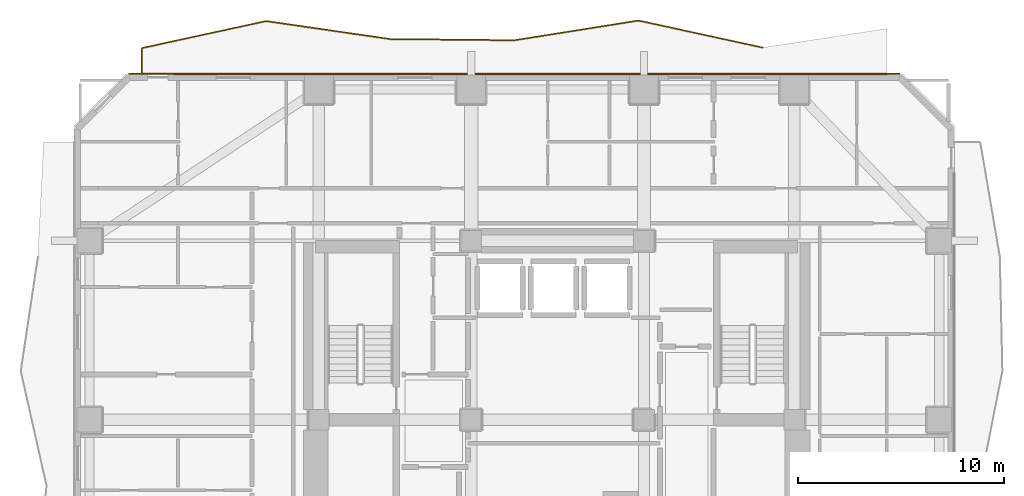
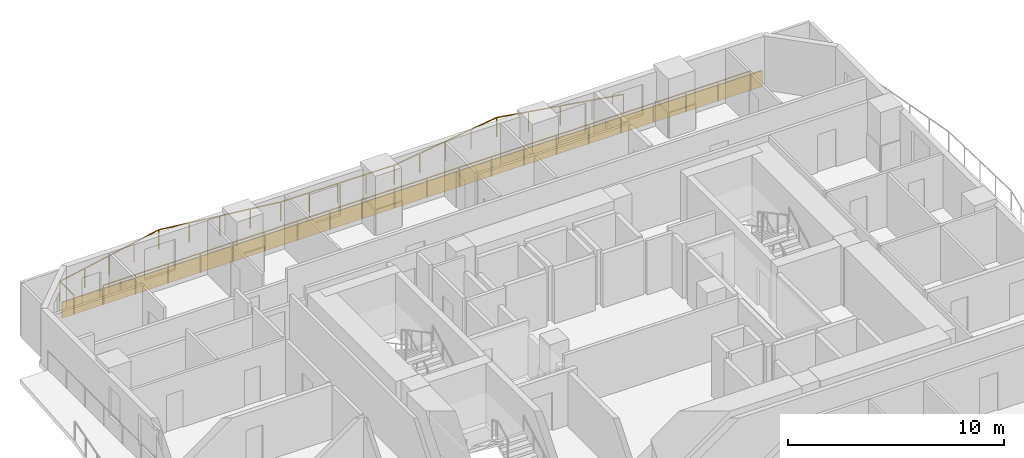
# One storey, part 11 of 11: 2 railings, 1 covering.
"""IFC4 building model written with IfcOpenShell, lengths in metres."""

import ifcopenshell
import ifcopenshell.guid

model = None  # the IFC model being written
_history = None  # IfcOwnerHistory: only IFC2X3 demands one
_inside = {}  # id of a spatial element -> (the spatial element, [elements in it])
_under = {}  # id of a project, library or spatial element -> (it, [spatial elements below it])
_declared = {}  # id of a project -> (the project, [libraries it declares])
_typed = {}  # id of a type object -> (the type object, [elements of that type])
_made_of = {}  # id of a material, layer set ... -> (it, [elements and type objects made of it])


def new_model(schema):
    """Start an empty IFC model of exactly this schema.

    Asked for "IFC4X3", IfcOpenShell would pick the latest addendum, in which some entities
    have other attributes; the version numbers below select the first issue.
    IFC2X3 requires an IfcOwnerHistory on every rooted entity: one is made here for all.
    """
    global model, _history
    if schema == "IFC4X3":
        model = ifcopenshell.file(schema_version=(4, 3, 0, 0))
    else:
        model = ifcopenshell.file(schema=schema)
    _inside.clear()
    _under.clear()
    _declared.clear()
    _typed.clear()
    _made_of.clear()
    _history = None
    if model.schema == "IFC2X3":
        org = make("IfcOrganization", Name="unknown")
        user = make(
            "IfcPersonAndOrganization",
            ThePerson=make("IfcPerson", FamilyName="unknown"),
            TheOrganization=org,
        )
        app = make(
            "IfcApplication",
            ApplicationDeveloper=org,
            Version="unknown",
            ApplicationFullName="unknown",
            ApplicationIdentifier="unknown",
        )
        _history = make(
            "IfcOwnerHistory",
            OwningUser=user,
            OwningApplication=app,
            ChangeAction="ADDED",
            CreationDate=0,
        )
    return model


def make(cls, **values):
    """One entity of the class cls with the attributes given. An attribute that is None is left unset."""
    return model.create_entity(
        cls, **{name: value for name, value in values.items() if value is not None}
    )


def rooted(cls, **values):
    """An entity with a GlobalId (a new one), such as an element, a storey or a relation."""
    return make(cls, GlobalId=ifcopenshell.guid.new(), OwnerHistory=_history, **values)


def si_unit(unit_type, name, prefix=None):
    """IfcSIUnit, for example si_unit("LENGTHUNIT", "METRE", prefix="MILLI")."""
    return make("IfcSIUnit", UnitType=unit_type, Prefix=prefix, Name=name)


def assignment(units):
    """IfcUnitAssignment: the units of a project."""
    return None if units is None else make("IfcUnitAssignment", Units=units)


def point(xyz):
    """IfcCartesianPoint."""
    return None if xyz is None else make("IfcCartesianPoint", Coordinates=xyz)


def direction(xyz):
    """IfcDirection."""
    return None if xyz is None else make("IfcDirection", DirectionRatios=xyz)


def frame(location, z_axis=None, x_axis=None):
    """IfcAxis2Placement3D, a coordinate frame: its origin and axes. An axis left out is left unset."""
    return make(
        "IfcAxis2Placement3D",
        Location=point(location),
        Axis=direction(z_axis),
        RefDirection=direction(x_axis),
    )


def frame_2d(location, x_axis=None):
    """IfcAxis2Placement2D, a coordinate frame in the plane: its origin and x axis."""
    return make(
        "IfcAxis2Placement2D", Location=point(location), RefDirection=direction(x_axis)
    )


def origin():
    """The frame at (0, 0, 0) with its axes left unset."""
    return frame((0.0, 0.0, 0.0))


def origin_2d():
    """The frame at (0, 0) in the plane with its x axis left unset."""
    return frame_2d((0.0, 0.0))


def place(relative_to, where):
    """IfcLocalPlacement: puts the frame where relative to a parent placement (None: the world)."""
    return make(
        "IfcLocalPlacement", PlacementRelTo=relative_to, RelativePlacement=where
    )


def context(
    kind, dimensions, precision=None, world=None, true_north=None, identifier=None
):
    """IfcGeometricRepresentationContext, for example the 3D "Model" context."""
    return make(
        "IfcGeometricRepresentationContext",
        ContextIdentifier=identifier,
        ContextType=kind,
        CoordinateSpaceDimension=dimensions,
        Precision=precision,
        WorldCoordinateSystem=world,
        TrueNorth=true_north,
    )


def subcontext(parent, identifier, kind, view, scale=None):
    """IfcGeometricRepresentationSubContext, for example "Body" below "Model"."""
    return make(
        "IfcGeometricRepresentationSubContext",
        ContextIdentifier=identifier,
        ContextType=kind,
        ParentContext=parent,
        TargetScale=scale,
        TargetView=view,
    )


def project(units=None, contexts=None):
    """IfcProject with its units and contexts."""
    return rooted(
        "IfcProject",
        Name="project",
        RepresentationContexts=contexts,
        UnitsInContext=assignment(units),
    )


def spatial(cls, under=None, at=None, **own):
    """A site, building, storey or space (cls), placed at a placement, below another one or the project."""
    s = rooted(cls, ObjectPlacement=at, **own)
    if under is not None:
        _under.setdefault(under.id(), (under, []))[1].append(s)
    return s


def profile(cls, at=None, kind="AREA", **sizes):
    """A parametric profile (cls). Its sizes go by their IFC names, for example OverallWidth=200.0."""
    return make(cls, ProfileType=kind, Position=at, **sizes)


def rectangle(**sizes):
    """IfcRectangleProfileDef."""
    return profile("IfcRectangleProfileDef", **sizes)


def extrude(swept, where, along, depth):
    """IfcExtrudedAreaSolid: the profile swept, set in the frame where, extruded along a direction by depth."""
    return make(
        "IfcExtrudedAreaSolid",
        SweptArea=swept,
        Position=where,
        ExtrudedDirection=direction(along),
        Depth=depth,
    )


def shape(context_of_items, identifier, shape_type, items):
    """IfcShapeRepresentation: the items that make up one representation, for example the "Body"."""
    return make(
        "IfcShapeRepresentation",
        ContextOfItems=context_of_items,
        RepresentationIdentifier=identifier,
        RepresentationType=shape_type,
        Items=items,
    )


def material(Name=None, Category=None):
    """IfcMaterial."""
    return make("IfcMaterial", Name=Name, Category=Category)


def layer(
    of_material, thickness, ventilated=None, Name=None, Category=None, Priority=None
):
    """IfcMaterialLayer: one layer of a wall or slab, of a material (None: an air gap)."""
    return make(
        "IfcMaterialLayer",
        Material=of_material,
        LayerThickness=thickness,
        IsVentilated=ventilated,
        Name=Name,
        Category=Category,
        Priority=Priority,
    )


def layer_set(layers, Name=None):
    """IfcMaterialLayerSet."""
    return make("IfcMaterialLayerSet", MaterialLayers=layers, LayerSetName=Name)


def made_of(thing, what):
    """Note that an element or type object is made of a material, layer set ...; save() writes the relation."""
    if what is not None:
        _made_of.setdefault(what.id(), (what, []))[1].append(thing)
    return thing


def type_object(cls, material=None, **own):
    """A type object (cls), such as IfcWallType, which elements share."""
    return made_of(rooted(cls, **own), material)


def element(
    cls,
    number,
    at=None,
    inside=None,
    cuts=None,
    type_object=None,
    material=None,
    context=None,
    identifier="Body",
    shape_type=None,
    held_by="IfcProductDefinitionShape",
    body=None,
    shapes=None,
    **own,
):
    """One element of the class cls, such as IfcWall. Its Tag is "e" and its number.

    at: its placement. inside: the storey or other place that contains it. cuts: it is an
    opening in that element (IfcRelVoidsElement). A single representation is given by context,
    identifier, shape_type and body (its items); several are given by shapes. held_by: the class
    of the entity that holds the representations. save() writes the other relations.
    """
    e = rooted(cls, Tag="e%d" % number, ObjectPlacement=at, **own)
    if body is not None:
        shapes = [shape(context, identifier, shape_type, body)]
    if shapes is not None:
        e.Representation = make(held_by, Representations=shapes)
    if inside is not None:
        _inside.setdefault(inside.id(), (inside, []))[1].append(e)
    if cuts is not None:
        rooted(
            "IfcRelVoidsElement", RelatingBuildingElement=cuts, RelatedOpeningElement=e
        )
    if type_object is not None:
        _typed.setdefault(type_object.id(), (type_object, []))[1].append(e)
    return made_of(e, material)


def aggregate(whole, parts):
    """IfcRelAggregates: a whole, such as a stair, and the parts it consists of."""
    return rooted("IfcRelAggregates", RelatingObject=whole, RelatedObjects=parts)


def save(model, path):
    """Write the relations noted so far, then the file.

    IfcRelAggregates (storeys below a building ...), IfcRelContainedInSpatialStructure (elements
    in a storey), IfcRelDefinesByType, IfcRelAssociatesMaterial and IfcRelDeclares: one each for
    every whole, place, type object, material and project.
    """
    for whole, parts in _under.values():
        aggregate(whole, parts)
    for where, things in _inside.values():
        rooted(
            "IfcRelContainedInSpatialStructure",
            RelatedElements=things,
            RelatingStructure=where,
        )
    for kind, things in _typed.values():
        rooted("IfcRelDefinesByType", RelatedObjects=things, RelatingType=kind)
    for what, things in _made_of.values():
        rooted("IfcRelAssociatesMaterial", RelatedObjects=things, RelatingMaterial=what)
    for by, libraries in _declared.values():
        rooted("IfcRelDeclares", RelatingContext=by, RelatedDefinitions=libraries)
    model.write(path)


model = new_model("IFC4")

# Units and contexts
model_context = context("Model", 3, precision=1e-05, world=origin(), true_north=direction((0.0, 1.0)))
body_context = subcontext(model_context, "Body", "Model", "MODEL_VIEW")
ifc_project = project(units=[si_unit("LENGTHUNIT", "METRE"), si_unit("AREAUNIT", "SQUARE_METRE"), si_unit("VOLUMEUNIT", "CUBIC_METRE"), si_unit("PLANEANGLEUNIT", "RADIAN"), si_unit("MASSUNIT", "GRAM", prefix="KILO")], contexts=[model_context])

# Site, building, storey
site_placement = place(None, origin())
site = spatial("IfcSite", under=ifc_project, at=site_placement, CompositionType="ELEMENT")
building_placement = place(site_placement, origin())
building = spatial("IfcBuilding", under=site, at=building_placement, Name="Solanera Arch Residences", CompositionType="ELEMENT")
storey_placement = place(building_placement, frame((0.0, 0.0, 25.320068359375)))
storey = spatial("IfcBuildingStorey", under=building, at=storey_placement, Name="L06", CompositionType="ELEMENT", Elevation=25.320068359375)

# Railings
ifc_material_1 = material(Name="Steel S355 (ASTM A992 / A572 Grade 50)", Category="steel")
railing_type = type_object("IfcRailingType", Name="Balustrade Railing BL-1100", PredefinedType="BALUSTRADE", material=ifc_material_1)
railing_1_placement = place(storey_placement, frame((34.967041015625, 48.7880859375, 0.0)))
element("IfcRailing", 1, at=railing_1_placement, inside=storey, type_object=railing_type, Name="L06 N Balcony Balustrade 1", PredefinedType="BALUSTRADE", context=body_context, shape_type="SweptSolid", body=[
    extrude(rectangle(XDim=0.048095703125, YDim=0.048095703125, at=origin_2d()), frame((0.0, 0.0, 1.09619140625), z_axis=(-0.97706812707, 0.212926924232, 0.0), x_axis=(-0.212926924232, -0.97706812707, 0.0)), (0.0, 0.0, 1.0), 6.175537109375),
    extrude(rectangle(XDim=0.048095703125, YDim=0.048095703125, at=origin_2d()), frame((-6.033935546875, 1.31494140625, 1.09619140625), z_axis=(-0.987576923809, -0.157136308855, 0.0), x_axis=(0.157136308855, -0.987576923809, 0.0)), (0.0, 0.0, 1.0), 6.109130859375),
    extrude(rectangle(XDim=0.048095703125, YDim=0.048095703125, at=origin_2d()), frame((-12.067138671875, 0.35498046875, 1.09619140625), z_axis=(-0.999950853849, 0.00991412566, 0.0), x_axis=(-0.00991412566, -0.999950853849, 0.0)), (0.0, 0.0, 1.0), 6.033203125),
    extrude(rectangle(XDim=0.048095703125, YDim=0.048095703125, at=origin_2d()), frame((-18.10009765625, 0.414794921875, 1.09619140625), z_axis=(-0.989671305222, 0.143355179959, 0.0), x_axis=(-0.143355179959, -0.989671305222, 0.0)), (0.0, 0.0, 1.0), 6.096923828125),
    extrude(rectangle(XDim=0.048095703125, YDim=0.048095703125, at=origin_2d()), frame((-24.134033203125, 1.288818359375, 1.09619140625), z_axis=(-0.977159587006, -0.212506803471, 0.0), x_axis=(0.212506803471, -0.977159587006, 0.0)), (0.0, 0.0, 1.0), 6.174072265625),
    extrude(rectangle(XDim=0.048095703125, YDim=0.048095703125, at=origin_2d()), frame((-30.1669921875, -0.023193359375, 1.09619140625), z_axis=(0.0, -1.0, 0.0), x_axis=(1.0, 0.0, 0.0)), (0.0, 0.0, 1.0), 1.284912109375),
    extrude(rectangle(XDim=0.0419921875, YDim=0.0419921875, at=origin_2d()), origin(), (0.0, 0.0, 1.0), 1.072021484375),
    extrude(rectangle(XDim=0.0419921875, YDim=0.0419921875, at=origin_2d()), frame((-1.508544921875, 0.32861328125, 0.0)), (0.0, 0.0, 1.0), 1.072021484375),
    extrude(rectangle(XDim=0.0419921875, YDim=0.0419921875, at=origin_2d()), frame((-3.01708984375, 0.657470703125, 0.0)), (0.0, 0.0, 1.0), 1.072021484375),
    extrude(rectangle(XDim=0.0419921875, YDim=0.0419921875, at=origin_2d()), frame((-4.525390625, 0.986328125, 0.0)), (0.0, 0.0, 1.0), 1.072021484375),
    extrude(rectangle(XDim=0.0419921875, YDim=0.0419921875, at=origin_2d()), frame((-6.033935546875, 1.31494140625, 0.0)), (0.0, 0.0, 1.0), 1.072021484375),
    extrude(rectangle(XDim=0.0419921875, YDim=0.0419921875, at=origin_2d()), frame((-7.542236328125, 1.074951171875, 0.0)), (0.0, 0.0, 1.0), 1.072021484375),
    extrude(rectangle(XDim=0.0419921875, YDim=0.0419921875, at=origin_2d()), frame((-9.050537109375, 0.8349609375, 0.0)), (0.0, 0.0, 1.0), 1.072021484375),
    extrude(rectangle(XDim=0.0419921875, YDim=0.0419921875, at=origin_2d()), frame((-10.558837890625, 0.594970703125, 0.0)), (0.0, 0.0, 1.0), 1.072021484375),
    extrude(rectangle(XDim=0.0419921875, YDim=0.0419921875, at=origin_2d()), frame((-12.067138671875, 0.35498046875, 0.0)), (0.0, 0.0, 1.0), 1.072021484375),
    extrude(rectangle(XDim=0.0419921875, YDim=0.0419921875, at=origin_2d()), frame((-13.575439453125, 0.369873046875, 0.0)), (0.0, 0.0, 1.0), 1.072021484375),
    extrude(rectangle(XDim=0.0419921875, YDim=0.0419921875, at=origin_2d()), frame((-15.08349609375, 0.384765625, 0.0)), (0.0, 0.0, 1.0), 1.072021484375),
    extrude(rectangle(XDim=0.0419921875, YDim=0.0419921875, at=origin_2d()), frame((-16.591796875, 0.39990234375, 0.0)), (0.0, 0.0, 1.0), 1.072021484375),
    extrude(rectangle(XDim=0.0419921875, YDim=0.0419921875, at=origin_2d()), frame((-18.10009765625, 0.414794921875, 0.0)), (0.0, 0.0, 1.0), 1.072021484375),
    extrude(rectangle(XDim=0.0419921875, YDim=0.0419921875, at=origin_2d()), frame((-19.608642578125, 0.63330078125, 0.0)), (0.0, 0.0, 1.0), 1.072021484375),
    extrude(rectangle(XDim=0.0419921875, YDim=0.0419921875, at=origin_2d()), frame((-21.1171875, 0.851806640625, 0.0)), (0.0, 0.0, 1.0), 1.072021484375),
    extrude(rectangle(XDim=0.0419921875, YDim=0.0419921875, at=origin_2d()), frame((-22.62548828125, 1.0703125, 0.0)), (0.0, 0.0, 1.0), 1.072021484375),
    extrude(rectangle(XDim=0.0419921875, YDim=0.0419921875, at=origin_2d()), frame((-24.134033203125, 1.288818359375, 0.0)), (0.0, 0.0, 1.0), 1.072021484375),
    extrude(rectangle(XDim=0.0419921875, YDim=0.0419921875, at=origin_2d()), frame((-25.642333984375, 0.9609375, 0.0)), (0.0, 0.0, 1.0), 1.072021484375),
    extrude(rectangle(XDim=0.0419921875, YDim=0.0419921875, at=origin_2d()), frame((-27.150390625, 0.6328125, 0.0)), (0.0, 0.0, 1.0), 1.072021484375),
    extrude(rectangle(XDim=0.0419921875, YDim=0.0419921875, at=origin_2d()), frame((-28.65869140625, 0.3046875, 0.0)), (0.0, 0.0, 1.0), 1.072021484375),
    extrude(rectangle(XDim=0.0419921875, YDim=0.0419921875, at=origin_2d()), frame((-30.1669921875, -0.023193359375, 0.0)), (0.0, 0.0, 1.0), 1.072021484375),
    extrude(rectangle(XDim=0.0419921875, YDim=0.0419921875, at=origin_2d()), frame((-30.1669921875, -1.30810546875, 0.0)), (0.0, 0.0, 1.0), 1.072021484375),
])
railing_2_placement = place(storey_placement, frame((6.365966796875, 47.47998046875, 0.0)))
element("IfcRailing", 2, at=railing_2_placement, inside=storey, type_object=railing_type, Name="L06 N Balcony Balustrade 2", PredefinedType="BALUSTRADE", context=body_context, shape_type="SweptSolid", body=[
    extrude(rectangle(XDim=0.048095703125, YDim=0.048095703125, at=origin_2d()), frame((0.0, 0.0, 1.09619140625), z_axis=(1.0, 0.0, 0.0), x_axis=(0.0, 1.0, 0.0)), (0.0, 0.0, 1.0), 34.634033203125),
    extrude(rectangle(XDim=0.0419921875, YDim=0.0419921875, at=origin_2d()), origin(), (0.0, 0.0, 1.0), 1.072021484375),
    extrude(rectangle(XDim=0.0419921875, YDim=0.0419921875, at=origin_2d()), frame((1.731689453125, 0.0, 0.0)), (0.0, 0.0, 1.0), 1.072021484375),
    extrude(rectangle(XDim=0.0419921875, YDim=0.0419921875, at=origin_2d()), frame((3.46337890625, 0.0, 0.0)), (0.0, 0.0, 1.0), 1.072021484375),
    extrude(rectangle(XDim=0.0419921875, YDim=0.0419921875, at=origin_2d()), frame((5.195068359375, 0.0, 0.0)), (0.0, 0.0, 1.0), 1.072021484375),
    extrude(rectangle(XDim=0.0419921875, YDim=0.0419921875, at=origin_2d()), frame((6.9267578125, 0.0, 0.0)), (0.0, 0.0, 1.0), 1.072021484375),
    extrude(rectangle(XDim=0.0419921875, YDim=0.0419921875, at=origin_2d()), frame((8.658447265625, 0.0, 0.0)), (0.0, 0.0, 1.0), 1.072021484375),
    extrude(rectangle(XDim=0.0419921875, YDim=0.0419921875, at=origin_2d()), frame((10.39013671875, 0.0, 0.0)), (0.0, 0.0, 1.0), 1.072021484375),
    extrude(rectangle(XDim=0.0419921875, YDim=0.0419921875, at=origin_2d()), frame((12.121826171875, 0.0, 0.0)), (0.0, 0.0, 1.0), 1.072021484375),
    extrude(rectangle(XDim=0.0419921875, YDim=0.0419921875, at=origin_2d()), frame((13.853515625, 0.0, 0.0)), (0.0, 0.0, 1.0), 1.072021484375),
    extrude(rectangle(XDim=0.0419921875, YDim=0.0419921875, at=origin_2d()), frame((15.585205078125, 0.0, 0.0)), (0.0, 0.0, 1.0), 1.072021484375),
    extrude(rectangle(XDim=0.0419921875, YDim=0.0419921875, at=origin_2d()), frame((17.31689453125, 0.0, 0.0)), (0.0, 0.0, 1.0), 1.072021484375),
    extrude(rectangle(XDim=0.0419921875, YDim=0.0419921875, at=origin_2d()), frame((19.048828125, 0.0, 0.0)), (0.0, 0.0, 1.0), 1.072021484375),
    extrude(rectangle(XDim=0.0419921875, YDim=0.0419921875, at=origin_2d()), frame((20.780517578125, 0.0, 0.0)), (0.0, 0.0, 1.0), 1.072021484375),
    extrude(rectangle(XDim=0.0419921875, YDim=0.0419921875, at=origin_2d()), frame((22.51220703125, 0.0, 0.0)), (0.0, 0.0, 1.0), 1.072021484375),
    extrude(rectangle(XDim=0.0419921875, YDim=0.0419921875, at=origin_2d()), frame((24.243896484375, 0.0, 0.0)), (0.0, 0.0, 1.0), 1.072021484375),
    extrude(rectangle(XDim=0.0419921875, YDim=0.0419921875, at=origin_2d()), frame((25.9755859375, 0.0, 0.0)), (0.0, 0.0, 1.0), 1.072021484375),
    extrude(rectangle(XDim=0.0419921875, YDim=0.0419921875, at=origin_2d()), frame((27.707275390625, 0.0, 0.0)), (0.0, 0.0, 1.0), 1.072021484375),
    extrude(rectangle(XDim=0.0419921875, YDim=0.0419921875, at=origin_2d()), frame((29.43896484375, 0.0, 0.0)), (0.0, 0.0, 1.0), 1.072021484375),
    extrude(rectangle(XDim=0.0419921875, YDim=0.0419921875, at=origin_2d()), frame((31.170654296875, 0.0, 0.0)), (0.0, 0.0, 1.0), 1.072021484375),
    extrude(rectangle(XDim=0.0419921875, YDim=0.0419921875, at=origin_2d()), frame((32.90234375, 0.0, 0.0)), (0.0, 0.0, 1.0), 1.072021484375),
    extrude(rectangle(XDim=0.0419921875, YDim=0.0419921875, at=origin_2d()), frame((34.634033203125, 0.0, 0.0)), (0.0, 0.0, 1.0), 1.072021484375),
])

# Covering
ifc_material_2 = material(Name="Philippine Adobe Travertine Cladding", Category="masonry")
ifc_layer = layer(ifc_material_2, 0.06005859375)
ifc_layer_set = layer_set([ifc_layer], Name="Philippine Adobe Travertine Cladding")
covering_type = type_object("IfcCoveringType", Name="Precast Pier Stone Cladding CLD-60", PredefinedType="CLADDING", material=ifc_layer_set)
covering_placement = place(storey_placement, frame((4.1650390625, 47.514892578125, 0.0), z_axis=(0.0, 0.0, 1.0), x_axis=(1.0, 0.0, 0.0)))
element("IfcCovering", 3, at=covering_placement, inside=storey, type_object=covering_type, Name="L06 N Precast Spandrel Stone Band", PredefinedType="CLADDING", context=body_context, shape_type="SweptSolid", body=[
    extrude(rectangle(XDim=37.469970703125, YDim=0.06005859375, at=frame_2d((18.73486328125, 0.0))), origin(), (0.0, 0.0, 1.0), 0.89990234375),
])

save(model, "model.ifc")
